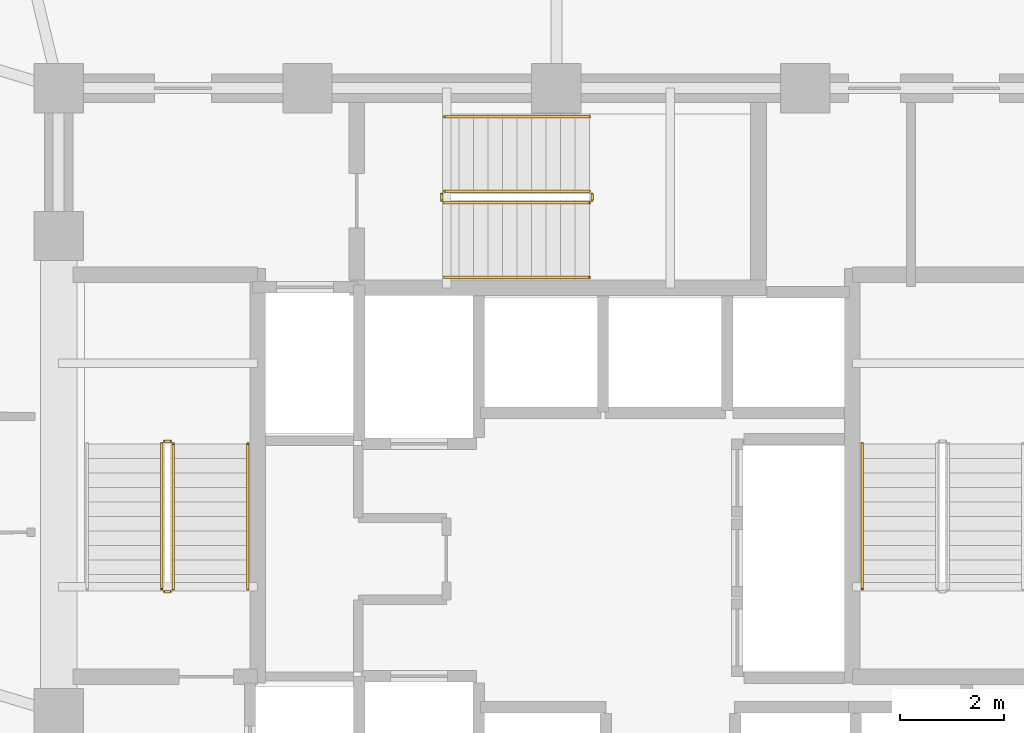
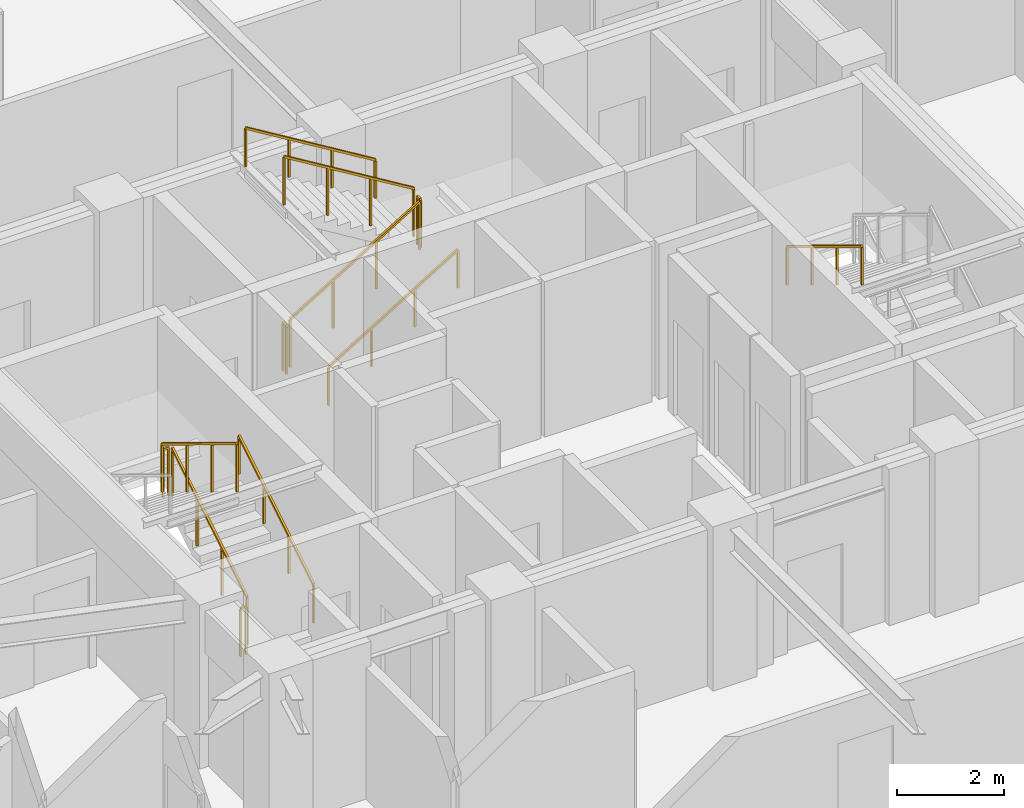
# One storey, part 15 of 17: 12 railings.
"""IFC4 building model written with IfcOpenShell, lengths in metres."""

from ifc_helpers import new_model, si_unit, direction, frame, origin, origin_2d, place, context, subcontext, project, spatial, rectangle, extrude, material, type_object, element, save


model = new_model("IFC4")

# Units and contexts
model_context = context("Model", 3, precision=1e-05, world=origin(), true_north=direction((0.0, 1.0)))
body_context = subcontext(model_context, "Body", "Model", "MODEL_VIEW")
ifc_project = project(units=[si_unit("LENGTHUNIT", "METRE"), si_unit("AREAUNIT", "SQUARE_METRE"), si_unit("VOLUMEUNIT", "CUBIC_METRE"), si_unit("PLANEANGLEUNIT", "RADIAN"), si_unit("MASSUNIT", "GRAM", prefix="KILO")], contexts=[model_context])

# Site, building, storey
site_placement = place(None, origin())
site = spatial("IfcSite", under=ifc_project, at=site_placement, CompositionType="ELEMENT")
building_placement = place(site_placement, origin())
building = spatial("IfcBuilding", under=site, at=building_placement, Name="Vantalir Tower", CompositionType="ELEMENT")
storey_placement = place(building_placement, frame((0.0, 0.0, 142.199951171875)))
storey = spatial("IfcBuildingStorey", under=building, at=storey_placement, Name="L35", CompositionType="ELEMENT", Elevation=142.199951171875)

# Railings
ifc_material_1 = material(Name="Anodised aluminium and stainless steel guard", Category="steel")
railing_type_1 = type_object("IfcRailingType", Name="RAL-GUARD-1120", PredefinedType="GUARDRAIL", material=ifc_material_1)
railing_1_placement = place(storey_placement, frame((24.110107421875, 22.7900390625, 0.17041015625)))
element("IfcRailing", 1, at=railing_1_placement, inside=storey, type_object=railing_type_1, Name="L35 ST1 stair guard 1", PredefinedType="GUARDRAIL", context=body_context, shape_type="SweptSolid", body=[
    extrude(rectangle(XDim=0.048095703125, YDim=0.048095703125, at=origin_2d()), frame((0.0, 0.0, 1.09619140625), z_axis=(0.0, 0.854169791009, 0.51999420009), x_axis=(-1.0, 0.0, 0.0)), (0.0, 0.0, 1.0), 3.278076171875),
    extrude(rectangle(XDim=0.0419921875, YDim=0.0419921875, at=origin_2d()), origin(), (0.0, 0.0, 1.0), 1.072021484375),
    extrude(rectangle(XDim=0.0419921875, YDim=0.0419921875, at=origin_2d()), frame((0.0, 0.933349609375, 0.568115234375)), (0.0, 0.0, 1.0), 1.072021484375),
    extrude(rectangle(XDim=0.0419921875, YDim=0.0419921875, at=origin_2d()), frame((0.0, 1.86669921875, 1.136474609375)), (0.0, 0.0, 1.0), 1.072021484375),
    extrude(rectangle(XDim=0.0419921875, YDim=0.0419921875, at=origin_2d()), frame((0.0, 2.800048828125, 1.70458984375)), (0.0, 0.0, 1.0), 1.072021484375),
])
railing_2_placement = place(storey_placement, frame((24.06005859375, 25.639892578125, 1.875)))
element("IfcRailing", 2, at=railing_2_placement, inside=storey, type_object=railing_type_1, Name="L35 ST1 stair guard 2", PredefinedType="GUARDRAIL", context=body_context, shape_type="SweptSolid", body=[
    extrude(rectangle(XDim=0.048095703125, YDim=0.048095703125, at=origin_2d()), frame((0.0, 0.0, 1.09619140625), z_axis=(-1.0, 0.0, 0.0), x_axis=(0.0, -1.0, 0.0)), (0.0, 0.0, 1.0), 0.1201171875),
    extrude(rectangle(XDim=0.0419921875, YDim=0.0419921875, at=origin_2d()), origin(), (0.0, 0.0, 1.0), 1.072021484375),
    extrude(rectangle(XDim=0.0419921875, YDim=0.0419921875, at=origin_2d()), frame((-0.1201171875, 0.0, 0.0)), (0.0, 0.0, 1.0), 1.072021484375),
])
railing_3_placement = place(storey_placement, frame((23.889892578125, 25.590087890625, 2.04541015625)))
element("IfcRailing", 3, at=railing_3_placement, inside=storey, type_object=railing_type_1, Name="L35 ST1 stair guard 3", PredefinedType="GUARDRAIL", context=body_context, shape_type="SweptSolid", body=[
    extrude(rectangle(XDim=0.048095703125, YDim=0.048095703125, at=origin_2d()), frame((0.0, 0.0, 1.09619140625), z_axis=(0.0, -0.854169791009, 0.51999420009), x_axis=(1.0, 0.0, 0.0)), (0.0, 0.0, 1.0), 3.278076171875),
    extrude(rectangle(XDim=0.0419921875, YDim=0.0419921875, at=origin_2d()), origin(), (0.0, 0.0, 1.0), 1.072021484375),
    extrude(rectangle(XDim=0.0419921875, YDim=0.0419921875, at=origin_2d()), frame((0.0, -0.933349609375, 0.568115234375)), (0.0, 0.0, 1.0), 1.072021484375),
    extrude(rectangle(XDim=0.0419921875, YDim=0.0419921875, at=origin_2d()), frame((0.0, -1.86669921875, 1.136474609375)), (0.0, 0.0, 1.0), 1.072021484375),
    extrude(rectangle(XDim=0.0419921875, YDim=0.0419921875, at=origin_2d()), frame((0.0, -2.800048828125, 1.70458984375)), (0.0, 0.0, 1.0), 1.072021484375),
])
railing_4_placement = place(storey_placement, frame((24.06005859375, 22.739990234375, 0.0)))
element("IfcRailing", 4, at=railing_4_placement, inside=storey, type_object=railing_type_1, Name="L35 ST1 stair guard 4", PredefinedType="GUARDRAIL", context=body_context, shape_type="SweptSolid", body=[
    extrude(rectangle(XDim=0.048095703125, YDim=0.048095703125, at=origin_2d()), frame((0.0, 0.0, 1.09619140625), z_axis=(-1.0, 0.0, 0.0), x_axis=(0.0, -1.0, 0.0)), (0.0, 0.0, 1.0), 0.1201171875),
    extrude(rectangle(XDim=0.0419921875, YDim=0.0419921875, at=origin_2d()), origin(), (0.0, 0.0, 1.0), 1.072021484375),
    extrude(rectangle(XDim=0.0419921875, YDim=0.0419921875, at=origin_2d()), frame((-0.1201171875, 0.0, 0.0)), (0.0, 0.0, 1.0), 1.072021484375),
])
railing_5_placement = place(storey_placement, frame((29.340087890625, 30.239990234375, 0.17041015625)))
element("IfcRailing", 5, at=railing_5_placement, inside=storey, type_object=railing_type_1, Name="L35 ST3 stair guard 1", PredefinedType="GUARDRAIL", context=body_context, shape_type="SweptSolid", body=[
    extrude(rectangle(XDim=0.048095703125, YDim=0.048095703125, at=origin_2d()), frame((0.0, 0.0, 1.09619140625), z_axis=(0.854149651119, 0.0, 0.520027281489), x_axis=(0.0, 1.0, 0.0)), (0.0, 0.0, 1.0), 3.27783203125),
    extrude(rectangle(XDim=0.0419921875, YDim=0.0419921875, at=origin_2d()), origin(), (0.0, 0.0, 1.0), 1.072021484375),
    extrude(rectangle(XDim=0.0419921875, YDim=0.0419921875, at=origin_2d()), frame((0.933349609375, 0.0, 0.568115234375)), (0.0, 0.0, 1.0), 1.072021484375),
    extrude(rectangle(XDim=0.0419921875, YDim=0.0419921875, at=origin_2d()), frame((1.866455078125, 0.0, 1.136474609375)), (0.0, 0.0, 1.0), 1.072021484375),
    extrude(rectangle(XDim=0.0419921875, YDim=0.0419921875, at=origin_2d()), frame((2.7998046875, 0.0, 1.70458984375)), (0.0, 0.0, 1.0), 1.072021484375),
])
railing_6_placement = place(storey_placement, frame((32.18994140625, 30.2900390625, 1.875)))
element("IfcRailing", 6, at=railing_6_placement, inside=storey, type_object=railing_type_1, Name="L35 ST3 stair guard 2", PredefinedType="GUARDRAIL", context=body_context, shape_type="SweptSolid", body=[
    extrude(rectangle(XDim=0.048095703125, YDim=0.048095703125, at=origin_2d()), frame((0.0, 0.0, 1.09619140625), z_axis=(0.0, 1.0, 0.0), x_axis=(-1.0, 0.0, 0.0)), (0.0, 0.0, 1.0), 0.119873046875),
    extrude(rectangle(XDim=0.0419921875, YDim=0.0419921875, at=origin_2d()), origin(), (0.0, 0.0, 1.0), 1.072021484375),
    extrude(rectangle(XDim=0.0419921875, YDim=0.0419921875, at=origin_2d()), frame((0.0, 0.119873046875, 0.0)), (0.0, 0.0, 1.0), 1.072021484375),
])
railing_7_placement = place(storey_placement, frame((32.139892578125, 30.4599609375, 2.04541015625)))
element("IfcRailing", 7, at=railing_7_placement, inside=storey, type_object=railing_type_1, Name="L35 ST3 stair guard 3", PredefinedType="GUARDRAIL", context=body_context, shape_type="SweptSolid", body=[
    extrude(rectangle(XDim=0.048095703125, YDim=0.048095703125, at=origin_2d()), frame((0.0, 0.0, 1.09619140625), z_axis=(-0.854149651119, 0.0, 0.520027281489), x_axis=(0.0, -1.0, 0.0)), (0.0, 0.0, 1.0), 3.27783203125),
    extrude(rectangle(XDim=0.0419921875, YDim=0.0419921875, at=origin_2d()), origin(), (0.0, 0.0, 1.0), 1.072021484375),
    extrude(rectangle(XDim=0.0419921875, YDim=0.0419921875, at=origin_2d()), frame((-0.933349609375, 0.0, 0.568115234375)), (0.0, 0.0, 1.0), 1.072021484375),
    extrude(rectangle(XDim=0.0419921875, YDim=0.0419921875, at=origin_2d()), frame((-1.866455078125, 0.0, 1.136474609375)), (0.0, 0.0, 1.0), 1.072021484375),
    extrude(rectangle(XDim=0.0419921875, YDim=0.0419921875, at=origin_2d()), frame((-2.7998046875, 0.0, 1.70458984375)), (0.0, 0.0, 1.0), 1.072021484375),
])
railing_8_placement = place(storey_placement, frame((29.2900390625, 30.2900390625, 0.0)))
element("IfcRailing", 8, at=railing_8_placement, inside=storey, type_object=railing_type_1, Name="L35 ST3 stair guard 4", PredefinedType="GUARDRAIL", context=body_context, shape_type="SweptSolid", body=[
    extrude(rectangle(XDim=0.048095703125, YDim=0.048095703125, at=origin_2d()), frame((0.0, 0.0, 1.09619140625), z_axis=(0.0, 1.0, 0.0), x_axis=(-1.0, 0.0, 0.0)), (0.0, 0.0, 1.0), 0.119873046875),
    extrude(rectangle(XDim=0.0419921875, YDim=0.0419921875, at=origin_2d()), origin(), (0.0, 0.0, 1.0), 1.072021484375),
    extrude(rectangle(XDim=0.0419921875, YDim=0.0419921875, at=origin_2d()), frame((0.0, 0.119873046875, 0.0)), (0.0, 0.0, 1.0), 1.072021484375),
])
ifc_material_2 = material(Name="Brushed stainless steel tubular handrail", Category="steel")
railing_type_2 = type_object("IfcRailingType", Name="RAL-HANDRAIL-900", PredefinedType="HANDRAIL", material=ifc_material_2)
railing_9_placement = place(storey_placement, frame((25.550048828125, 22.7900390625, 0.17041015625)))
element("IfcRailing", 9, at=railing_9_placement, inside=storey, type_object=railing_type_2, Name="L35 ST1 stair handrail 1", PredefinedType="HANDRAIL", context=body_context, shape_type="SweptSolid", body=[
    extrude(rectangle(XDim=0.048095703125, YDim=0.048095703125, at=origin_2d()), frame((0.0, 0.0, 0.8759765625), z_axis=(0.0, 0.854169791009, 0.51999420009), x_axis=(-1.0, 0.0, 0.0)), (0.0, 0.0, 1.0), 3.278076171875),
    extrude(rectangle(XDim=0.0419921875, YDim=0.0419921875, at=origin_2d()), origin(), (0.0, 0.0, 1.0), 0.851806640625),
    extrude(rectangle(XDim=0.0419921875, YDim=0.0419921875, at=origin_2d()), frame((0.0, 0.933349609375, 0.568115234375)), (0.0, 0.0, 1.0), 0.851806640625),
    extrude(rectangle(XDim=0.0419921875, YDim=0.0419921875, at=origin_2d()), frame((0.0, 1.86669921875, 1.136474609375)), (0.0, 0.0, 1.0), 0.851806640625),
    extrude(rectangle(XDim=0.0419921875, YDim=0.0419921875, at=origin_2d()), frame((0.0, 2.800048828125, 1.70458984375)), (0.0, 0.0, 1.0), 0.851806640625),
])
railing_10_placement = place(storey_placement, frame((37.39990234375, 25.590087890625, 2.04541015625)))
element("IfcRailing", 10, at=railing_10_placement, inside=storey, type_object=railing_type_2, Name="L35 ST2 stair handrail 2", PredefinedType="HANDRAIL", context=body_context, shape_type="SweptSolid", body=[
    extrude(rectangle(XDim=0.048095703125, YDim=0.048095703125, at=origin_2d()), frame((0.0, 0.0, 0.8759765625), z_axis=(0.0, -0.854169791009, 0.51999420009), x_axis=(1.0, 0.0, 0.0)), (0.0, 0.0, 1.0), 3.278076171875),
    extrude(rectangle(XDim=0.0419921875, YDim=0.0419921875, at=origin_2d()), origin(), (0.0, 0.0, 1.0), 0.851806640625),
    extrude(rectangle(XDim=0.0419921875, YDim=0.0419921875, at=origin_2d()), frame((0.0, -0.933349609375, 0.568115234375)), (0.0, 0.0, 1.0), 0.851806640625),
    extrude(rectangle(XDim=0.0419921875, YDim=0.0419921875, at=origin_2d()), frame((0.0, -1.86669921875, 1.136474609375)), (0.0, 0.0, 1.0), 0.851806640625),
    extrude(rectangle(XDim=0.0419921875, YDim=0.0419921875, at=origin_2d()), frame((0.0, -2.800048828125, 1.70458984375)), (0.0, 0.0, 1.0), 0.851806640625),
])
railing_11_placement = place(storey_placement, frame((29.340087890625, 28.800048828125, 0.17041015625)))
element("IfcRailing", 11, at=railing_11_placement, inside=storey, type_object=railing_type_2, Name="L35 ST3 stair handrail 1", PredefinedType="HANDRAIL", context=body_context, shape_type="SweptSolid", body=[
    extrude(rectangle(XDim=0.048095703125, YDim=0.048095703125, at=origin_2d()), frame((0.0, 0.0, 0.8759765625), z_axis=(0.854149651119, 0.0, 0.520027281489), x_axis=(0.0, 1.0, 0.0)), (0.0, 0.0, 1.0), 3.27783203125),
    extrude(rectangle(XDim=0.0419921875, YDim=0.0419921875, at=origin_2d()), origin(), (0.0, 0.0, 1.0), 0.851806640625),
    extrude(rectangle(XDim=0.0419921875, YDim=0.0419921875, at=origin_2d()), frame((0.933349609375, 0.0, 0.568115234375)), (0.0, 0.0, 1.0), 0.851806640625),
    extrude(rectangle(XDim=0.0419921875, YDim=0.0419921875, at=origin_2d()), frame((1.866455078125, 0.0, 1.136474609375)), (0.0, 0.0, 1.0), 0.851806640625),
    extrude(rectangle(XDim=0.0419921875, YDim=0.0419921875, at=origin_2d()), frame((2.7998046875, 0.0, 1.70458984375)), (0.0, 0.0, 1.0), 0.851806640625),
])
railing_12_placement = place(storey_placement, frame((32.139892578125, 31.89990234375, 2.04541015625)))
element("IfcRailing", 12, at=railing_12_placement, inside=storey, type_object=railing_type_2, Name="L35 ST3 stair handrail 2", PredefinedType="HANDRAIL", context=body_context, shape_type="SweptSolid", body=[
    extrude(rectangle(XDim=0.048095703125, YDim=0.048095703125, at=origin_2d()), frame((0.0, 0.0, 0.8759765625), z_axis=(-0.854149651119, 0.0, 0.520027281489), x_axis=(0.0, -1.0, 0.0)), (0.0, 0.0, 1.0), 3.27783203125),
    extrude(rectangle(XDim=0.0419921875, YDim=0.0419921875, at=origin_2d()), origin(), (0.0, 0.0, 1.0), 0.851806640625),
    extrude(rectangle(XDim=0.0419921875, YDim=0.0419921875, at=origin_2d()), frame((-0.933349609375, 0.0, 0.568115234375)), (0.0, 0.0, 1.0), 0.851806640625),
    extrude(rectangle(XDim=0.0419921875, YDim=0.0419921875, at=origin_2d()), frame((-1.866455078125, 0.0, 1.136474609375)), (0.0, 0.0, 1.0), 0.851806640625),
    extrude(rectangle(XDim=0.0419921875, YDim=0.0419921875, at=origin_2d()), frame((-2.7998046875, 0.0, 1.70458984375)), (0.0, 0.0, 1.0), 0.851806640625),
])

save(model, "model.ifc")
